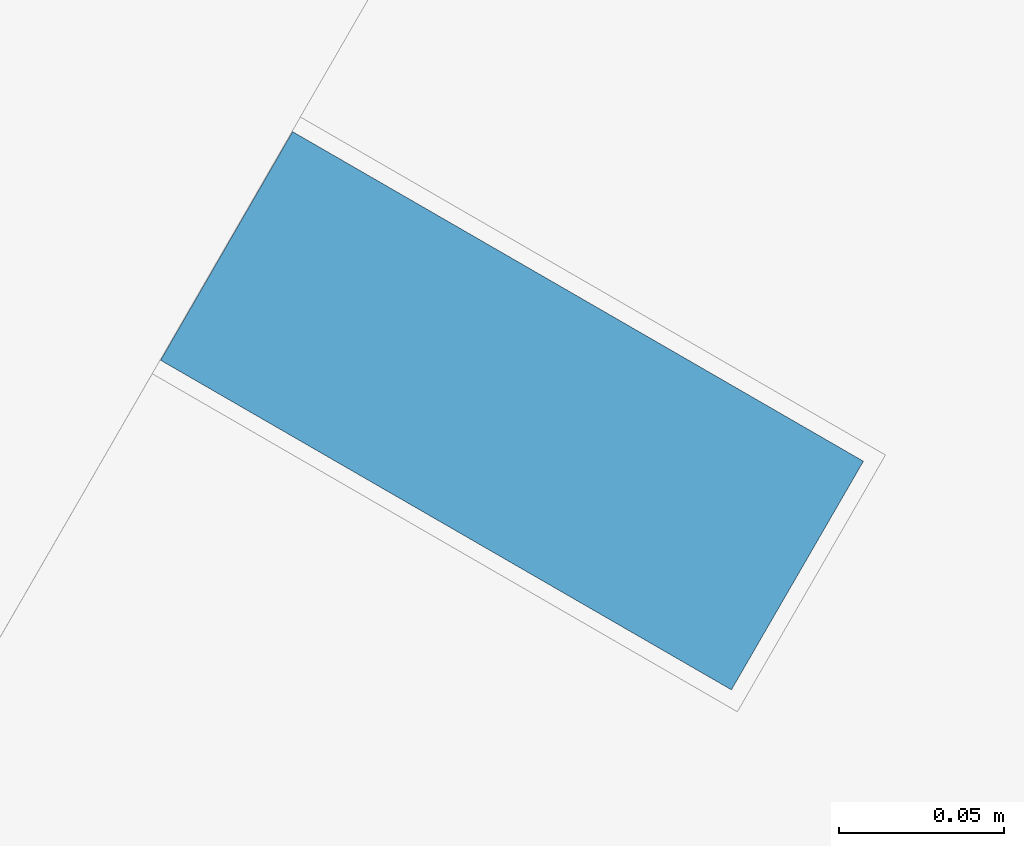
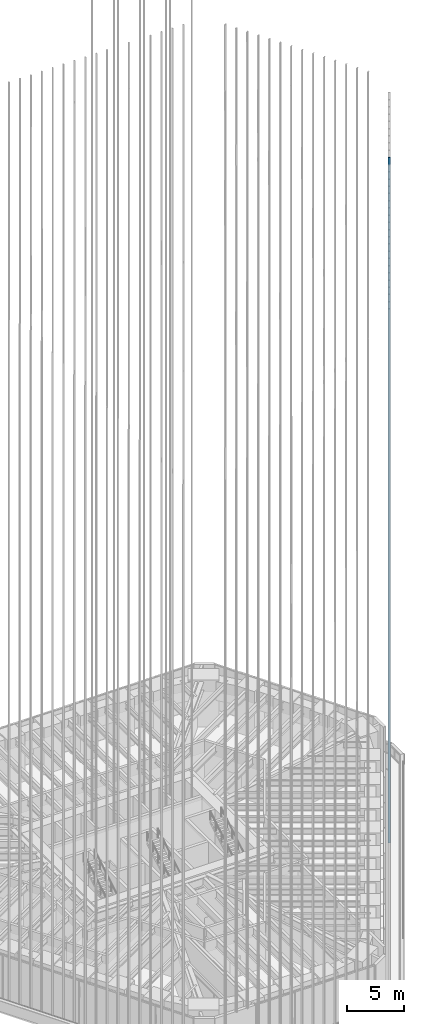
# One storey, part 112 of 228: 1 member, 1 element without a shape of its own.
"""IFC4 building model written with IfcOpenShell, lengths in metres."""

from ifc_helpers import new_model, si_unit, direction, frame, origin, origin_2d, place, context, subcontext, project, spatial, rectangle, extrude, material, material_profile, profile_set, type_object, element, aggregate, save


model = new_model("IFC4")

# Units and contexts
model_context = context("Model", 3, precision=1e-05, world=origin(), true_north=direction((0.0, 1.0)))
body_context = subcontext(model_context, "Body", "Model", "MODEL_VIEW")
ifc_project = project(units=[si_unit("LENGTHUNIT", "METRE"), si_unit("AREAUNIT", "SQUARE_METRE"), si_unit("VOLUMEUNIT", "CUBIC_METRE"), si_unit("PLANEANGLEUNIT", "RADIAN"), si_unit("MASSUNIT", "GRAM", prefix="KILO")], contexts=[model_context])

# Site, building, storey
site_placement = place(None, origin())
site = spatial("IfcSite", under=ifc_project, at=site_placement, CompositionType="ELEMENT")
building_placement = place(site_placement, origin())
building = spatial("IfcBuilding", under=site, at=building_placement, Name="Sandreach Pilgrim Tower", CompositionType="ELEMENT")
storey_placement = place(building_placement, frame((0.0, 0.0, 178.199951171875)))
storey = spatial("IfcBuildingStorey", under=building, at=storey_placement, Name="L44", CompositionType="ELEMENT", Elevation=178.199951171875)

# Curtain wall, member
ifc_material_1 = material(Name="Aluminium framed curtain wall", Category="aluminium")
curtain_wall_type = type_object("IfcCurtainWallType", Name="Upper hotel tower curtain wall", PredefinedType="NOTDEFINED", material=ifc_material_1)
curtain_wall_placement = place(storey_placement, origin())
curtain_wall = element("IfcCurtainWall", 1, at=curtain_wall_placement, inside=storey, type_object=curtain_wall_type, Name="CW-3 L44 SE", PredefinedType="NOTDEFINED")
ifc_material_2 = material(Name="Extruded terracotta on aluminium core", Category="masonry")
ifc_material_profile = material_profile(ifc_material_2, rectangle(XDim=0.080078125, YDim=0.199951171875, at=origin_2d()), Name="TBE 80X200")
ifc_profile_set = profile_set([ifc_material_profile], Name="Extruded terracotta on aluminium core")
member_type = type_object("IfcMemberType", Name="Terracotta baguette east", PredefinedType="USERDEFINED", material=ifc_profile_set)
member_placement = place(storey_placement, frame((21.9755859375, -5.0576171875, 0.0), z_axis=(0.0, 0.0, 1.0), x_axis=(-0.5, -0.866025403784, 0.0)))
member = element("IfcMember", 2, at=member_placement, type_object=member_type, Name="Baguette Z3 SE10", ObjectType="BAGUETTE", PredefinedType="USERDEFINED", context=body_context, shape_type="SweptSolid", body=[
    extrude(rectangle(XDim=0.080078125, YDim=0.199951171875, at=origin_2d()), origin(), (0.0, 0.0, 1.0), 73.239990234375),
])
aggregate(curtain_wall, [member])

save(model, "model.ifc")
